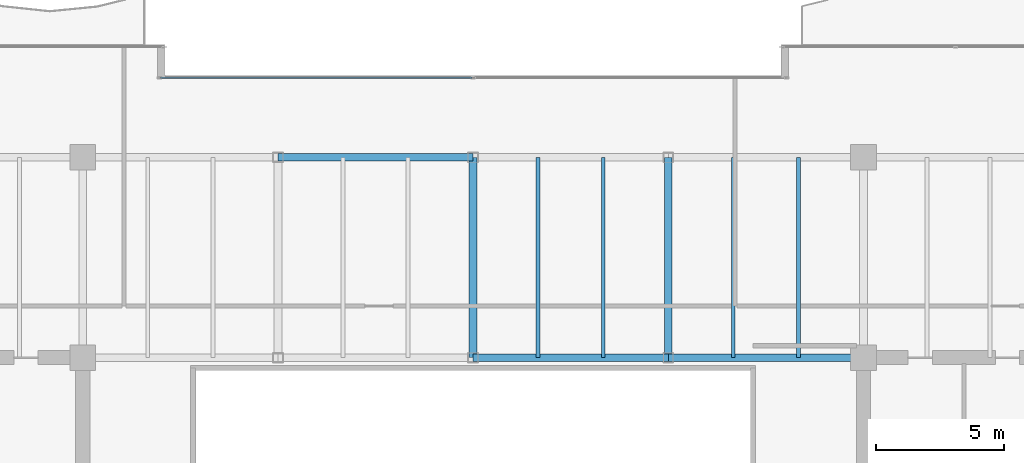
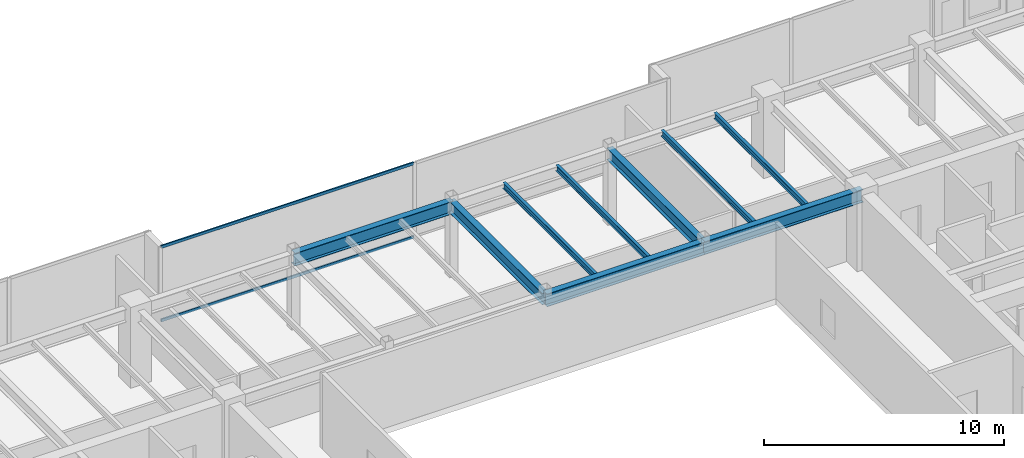
# One storey, part 18 of 34: 9 beams, 2 members, 1 element without a shape of its own.
"""IFC4 building model written with IfcOpenShell, lengths in metres."""

from ifc_helpers import new_model, si_unit, direction, frame, origin, origin_2d, place, context, subcontext, project, spatial, hollow_rectangle, i_section, extrude, source, transform, mapped, material, layer, layer_set, material_profile, profile_set, type_object, type_shapes, element, aggregate, save


model = new_model("IFC4")

# Units and contexts
model_context = context("Model", 3, precision=1e-05, world=origin(), true_north=direction((0.0, 1.0)))
body_context = subcontext(model_context, "Body", "Model", "MODEL_VIEW")
ifc_project = project(units=[si_unit("LENGTHUNIT", "METRE"), si_unit("AREAUNIT", "SQUARE_METRE"), si_unit("VOLUMEUNIT", "CUBIC_METRE"), si_unit("PLANEANGLEUNIT", "RADIAN"), si_unit("MASSUNIT", "GRAM", prefix="KILO")], contexts=[model_context])

# Site, building, storey
site_placement = place(None, origin())
site = spatial("IfcSite", under=ifc_project, at=site_placement, CompositionType="ELEMENT")
building_placement = place(site_placement, origin())
building = spatial("IfcBuilding", under=site, at=building_placement, Name="Haelvirn Gate Laboratories", CompositionType="ELEMENT")
storey_placement = place(building_placement, frame((0.0, 0.0, 205.5)))
storey = spatial("IfcBuildingStorey", under=building, at=storey_placement, Name="L49", CompositionType="ELEMENT", Elevation=205.5)

# Beams
ifc_material_1 = material(Name="Steel SM355", Category="steel")
ifc_material_profile_1 = material_profile(ifc_material_1, i_section(OverallWidth=0.14990234375, OverallDepth=0.300048828125, WebThickness=0.006591796875, FlangeThickness=0.009033203125, at=origin_2d()), Name="H-300x150x6.5x9")
ifc_profile_set_1 = profile_set([ifc_material_profile_1], Name="Steel SM355")
beam_type_1 = type_object("IfcBeamType", Name="BM-J-300", PredefinedType="JOIST", material=ifc_profile_set_1)
shared_shape_1 = source(origin(), body_context, "Body", "SweptSolid", [
    extrude(i_section(OverallWidth=0.14990234375, OverallDepth=0.300048828125, WebThickness=0.006591796875, FlangeThickness=0.009033203125, at=origin_2d()), origin(), (0.0, 0.0, 1.0), 7.800048828125),
])
type_shapes(beam_type_1, [shared_shape_1])
for number, where, z_axis, x_axis, name in (
    (1, (39.929931640625, 33.800048828125, 3.64990234375), (0.0, 1.0, 0.0), (-1.0, 0.0, 0.0), "L49 Composite Lab Joist North X39.93"),
    (2, (42.469970703125, 33.800048828125, 3.64990234375), (0.0, 1.0, 0.0), (-1.0, 0.0, 0.0), "L49 Composite Lab Joist North X42.47"),
    (3, (47.530029296875, 33.800048828125, 3.64990234375), (0.0, 1.0, 0.0), (-1.0, 0.0, 0.0), "L49 Composite Lab Joist North X47.53"),
    (4, (50.070068359375, 33.800048828125, 3.64990234375), (0.0, 1.0, 0.0), (-1.0, 0.0, 0.0), "L49 Composite Lab Joist North X50.07"),
):
    element("IfcBeam", number, at=place(storey_placement, frame(where, z_axis=z_axis, x_axis=x_axis)), inside=storey, type_object=beam_type_1, Name=name, PredefinedType="JOIST", context=body_context, shape_type="MappedRepresentation", body=[
        mapped(shared_shape_1, transform((0.0, 0.0, 0.0), scale=1.0)),
    ])
ifc_material_profile_2 = material_profile(ifc_material_1, i_section(OverallWidth=0.300048828125, OverallDepth=0.587890625, WebThickness=0.011962890625, FlangeThickness=0.02001953125, at=origin_2d()), Name="H-588x300x12x20")
ifc_profile_set_2 = profile_set([ifc_material_profile_2], Name="Steel SM355")
beam_type_2 = type_object("IfcBeamType", Name="BM-G-588", PredefinedType="BEAM", material=ifc_profile_set_2)
shared_shape_2 = source(origin(), body_context, "Body", "SweptSolid", [
    extrude(i_section(OverallWidth=0.300048828125, OverallDepth=0.587890625, WebThickness=0.011962890625, FlangeThickness=0.02001953125, at=origin_2d()), origin(), (0.0, 0.0, 1.0), 7.800048828125),
])
type_shapes(beam_type_2, [shared_shape_2])
for number, where, z_axis, x_axis, name in (
    (5, (37.39990234375, 33.800048828125, 3.506103515625), (0.0, 1.0, 0.0), (-1.0, 0.0, 0.0), "L49 Frame Girder X37.4 (33.8-41.6)"),
    (6, (45.0, 33.800048828125, 3.506103515625), (0.0, 1.0, 0.0), (-1.0, 0.0, 0.0), "L49 Frame Girder X45.0 (33.8-41.6)"),
):
    element("IfcBeam", number, at=place(storey_placement, frame(where, z_axis=z_axis, x_axis=x_axis)), inside=storey, type_object=beam_type_2, Name=name, PredefinedType="BEAM", context=body_context, shape_type="MappedRepresentation", body=[
        mapped(shared_shape_2, transform((0.0, 0.0, 0.0), scale=1.0)),
    ])
ifc_material_profile_3 = material_profile(ifc_material_1, i_section(OverallWidth=0.300048828125, OverallDepth=0.64990234375, WebThickness=0.012939453125, FlangeThickness=0.02197265625, at=origin_2d()), Name="H-650x300x13x22")
ifc_profile_set_3 = profile_set([ifc_material_profile_3], Name="Steel SM355")
beam_type_3 = type_object("IfcBeamType", Name="BM-G-650", PredefinedType="BEAM", material=ifc_profile_set_3)
shared_shape_3 = source(origin(), body_context, "Body", "SweptSolid", [
    extrude(i_section(OverallWidth=0.300048828125, OverallDepth=0.64990234375, WebThickness=0.012939453125, FlangeThickness=0.02197265625, at=origin_2d()), origin(), (0.0, 0.0, 1.0), 7.60009765625),
])
for number, where, z_axis, x_axis, name in (
    (7, (37.39990234375, 33.800048828125, 3.47509765625), (1.0, 0.0, 0.0), (0.0, 1.0, 0.0), "L49 Primary Girder Y33.8 (37.4-45.0)"),
    (8, (45.0, 33.800048828125, 3.47509765625), (1.0, 0.0, 0.0), (0.0, 1.0, 0.0), "L49 Primary Girder Y33.8 (45.0-52.6)"),
):
    element("IfcBeam", number, at=place(storey_placement, frame(where, z_axis=z_axis, x_axis=x_axis)), inside=storey, type_object=beam_type_3, Name=name, PredefinedType="BEAM", context=body_context, shape_type="MappedRepresentation", body=[
        mapped(shared_shape_3, transform((0.0, 0.0, 0.0), scale=1.0)),
    ])
shared_shape_4 = source(origin(), body_context, "Body", "SweptSolid", [
    extrude(i_section(OverallWidth=0.300048828125, OverallDepth=0.64990234375, WebThickness=0.012939453125, FlangeThickness=0.02197265625, at=origin_2d()), origin(), (0.0, 0.0, 1.0), 7.599853515625),
])
type_shapes(beam_type_3, [shared_shape_3, shared_shape_4])
beam_placement = place(storey_placement, frame((29.800048828125, 41.60009765625, 3.47509765625), z_axis=(1.0, 0.0, 0.0), x_axis=(0.0, 1.0, 0.0)))
element("IfcBeam", 9, at=beam_placement, inside=storey, type_object=beam_type_3, Name="L49 Primary Girder Y41.6 (29.8-37.4)", PredefinedType="BEAM", context=body_context, shape_type="MappedRepresentation", body=[
    mapped(shared_shape_4, transform((0.0, 0.0, 0.0), scale=1.0)),
])

# Curtain wall, members
ifc_material_2 = material(Name="Anodised bronze unitised aluminium & triple low-E glass", Category="aluminium")
ifc_layer = layer(ifc_material_2, 0.176025390625, Name="CW-SYS-4")
ifc_layer_set = layer_set([ifc_layer], Name="Anodised bronze unitised aluminium & triple low-E glass")
curtain_wall_type = type_object("IfcCurtainWallType", Name="CW-SYS-4", PredefinedType="NOTDEFINED", material=ifc_layer_set)
curtain_wall_placement = place(storey_placement, origin())
curtain_wall = element("IfcCurtainWall", 10, at=curtain_wall_placement, inside=storey, type_object=curtain_wall_type, Name="L49 Unitised Curtain Wall CW-L49-P0-E12-1", PredefinedType="NOTDEFINED")
ifc_material_3 = material(Name="Extruded aluminium 6063-T6 (anodised bronze)", Category="aluminium")
ifc_material_profile_4 = material_profile(ifc_material_3, hollow_rectangle(XDim=0.06494140625, YDim=0.139892578125, WallThickness=0.00390625, at=origin_2d()), Name="CWT-140x65x4")
ifc_profile_set_4 = profile_set([ifc_material_profile_4], Name="Extruded aluminium 6063-T6 (anodised bronze)")
member_type = type_object("IfcMemberType", Name="CWT-T140", PredefinedType="USERDEFINED", material=ifc_profile_set_4)
shared_shape_5 = source(origin(), body_context, "Body", "SweptSolid", [
    extrude(hollow_rectangle(XDim=0.06494140625, YDim=0.139892578125, WallThickness=0.00390625, at=origin_2d()), origin(), (0.0, 0.0, 1.0), 12.135009765625),
])
type_shapes(member_type, [shared_shape_5])
member_1_placement = place(storey_placement, frame((25.22998046875, 44.699951171875, 0.032470703125), z_axis=(1.0, 0.0, 0.0), x_axis=(0.0, 1.0, 0.0)))
member_1 = element("IfcMember", 11, at=member_1_placement, type_object=member_type, Name="CW4 transom 1.1", ObjectType="TRANSOM", PredefinedType="USERDEFINED", context=body_context, shape_type="MappedRepresentation", body=[
    mapped(shared_shape_5, transform((0.0, 0.0, 0.0), scale=1.0)),
])
member_2_placement = place(storey_placement, frame((25.22998046875, 44.699951171875, 3.767578125), z_axis=(1.0, 0.0, 0.0), x_axis=(0.0, 1.0, 0.0)))
member_2 = element("IfcMember", 12, at=member_2_placement, type_object=member_type, Name="CW4 transom 1.2", ObjectType="TRANSOM", PredefinedType="USERDEFINED", context=body_context, shape_type="MappedRepresentation", body=[
    mapped(shared_shape_5, transform((0.0, 0.0, 0.0), scale=1.0)),
])
aggregate(curtain_wall, [member_1, member_2])

save(model, "model.ifc")
